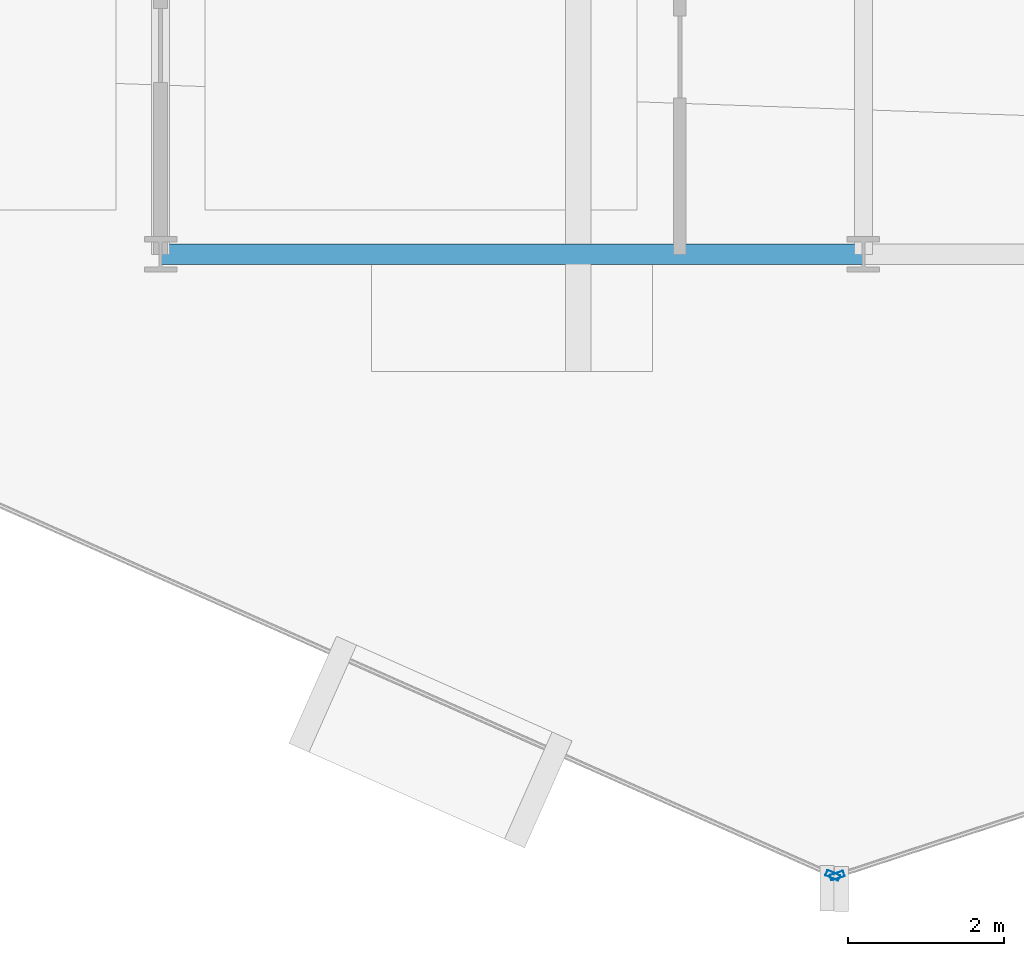
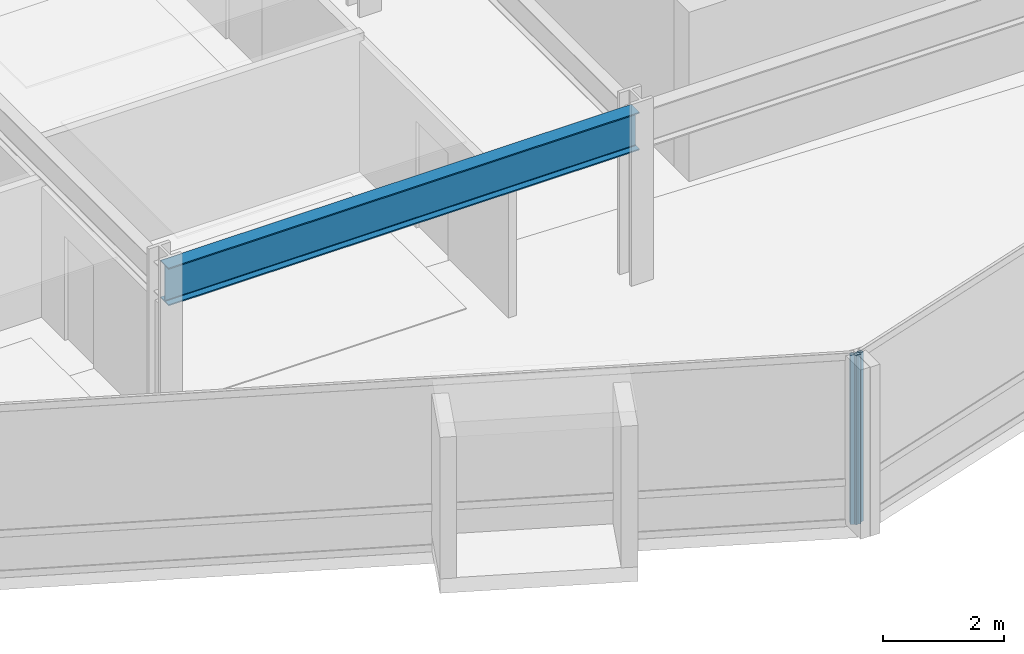
# One storey, part 4 of 29: 2 members, 1 beam, 2 elements without a shape of their own.
"""IFC4 building model written with IfcOpenShell, lengths in metres."""

from ifc_helpers import new_model, si_unit, direction, frame, origin, origin_2d, place, context, subcontext, project, spatial, hollow_rectangle, i_section, extrude, material, layer, layer_set, material_profile, profile_set, type_object, element, aggregate, save


model = new_model("IFC4")

# Units and contexts
model_context = context("Model", 3, precision=1e-05, world=origin(), true_north=direction((0.0, 1.0)))
body_context = subcontext(model_context, "Body", "Model", "MODEL_VIEW")
ifc_project = project(units=[si_unit("LENGTHUNIT", "METRE"), si_unit("AREAUNIT", "SQUARE_METRE"), si_unit("VOLUMEUNIT", "CUBIC_METRE"), si_unit("PLANEANGLEUNIT", "RADIAN"), si_unit("MASSUNIT", "GRAM", prefix="KILO")], contexts=[model_context])

# Site, building, storey
site_placement = place(None, origin())
site = spatial("IfcSite", under=ifc_project, at=site_placement, CompositionType="ELEMENT")
building_placement = place(site_placement, origin())
building = spatial("IfcBuilding", under=site, at=building_placement, Name="Solvaryn Broadcast Tower", CompositionType="ELEMENT")
storey_placement = place(building_placement, frame((0.0, 0.0, 128.5)))
storey = spatial("IfcBuildingStorey", under=building, at=storey_placement, Name="L31", CompositionType="ELEMENT", Elevation=128.5)

# Beam
ifc_material_1 = material(Name="Steel ASTM A992 Grade 50", Category="steel")
ifc_material_profile_1 = material_profile(ifc_material_1, i_section(OverallWidth=0.26708984375, OverallDepth=0.76611328125, WebThickness=0.014892578125, FlangeThickness=0.023681640625, FilletRadius=0.01806640625, at=origin_2d()))
ifc_profile_set_1 = profile_set([ifc_material_profile_1], Name="Steel ASTM A992 Grade 50")
beam_type = type_object("IfcBeamType", Name="BM-SP2-W30X124", PredefinedType="USERDEFINED", material=ifc_profile_set_1)
beam_placement = place(storey_placement, frame((18.0, 9.0, 3.037109375), z_axis=(1.0, 0.0, 0.0), x_axis=(0.0, 1.0, 0.0)))
element("IfcBeam", 1, at=beam_placement, inside=storey, type_object=beam_type, Name="L31 Spandrel Beam X (18-27 @ Y=9)", ObjectType="SPANDREL", PredefinedType="USERDEFINED", context=body_context, shape_type="SweptSolid", body=[
    extrude(i_section(OverallWidth=0.26708984375, OverallDepth=0.76611328125, WebThickness=0.014892578125, FlangeThickness=0.023681640625, FilletRadius=0.01806640625, at=origin_2d()), origin(), (0.0, 0.0, 1.0), 9.0),
])

# Curtain wall, member
ifc_material_2 = material(Name="Aluminium and Terracotta Unitised Curtain Wall", Category="masonry")
ifc_layer = layer(ifc_material_2, 0.199951171875)
ifc_layer_set = layer_set([ifc_layer], Name="CW-SYS2-LOWMID")
curtain_wall_type = type_object("IfcCurtainWallType", Name="CW-SYS2-LOWMID", PredefinedType="NOTDEFINED", material=ifc_layer_set)
curtain_wall_1_placement = place(storey_placement, origin())
curtain_wall_1 = element("IfcCurtainWall", 2, at=curtain_wall_1_placement, inside=storey, type_object=curtain_wall_type, Name="L31 Curtain Wall DR3", PredefinedType="NOTDEFINED")
ifc_material_3 = material(Name="Anodised Aluminium 6063-T6", Category="aluminium")
ifc_material_profile_2 = material_profile(ifc_material_3, hollow_rectangle(XDim=0.074951171875, YDim=0.179931640625, WallThickness=0.00390625, InnerFilletRadius=0.00390625, OuterFilletRadius=0.008056640625, at=origin_2d()))
ifc_profile_set_2 = profile_set([ifc_material_profile_2], Name="Anodised Aluminium 6063-T6")
member_type = type_object("IfcMemberType", Name="CW-MUL-180", PredefinedType="MULLION", material=ifc_profile_set_2)
member_1_placement = place(storey_placement, frame((26.608642578125, 1.046142578125, 0.0), z_axis=(0.0, 0.0, 1.0), x_axis=(0.405918429309, 0.913909311008, 0.0)))
member_1 = element("IfcMember", 3, at=member_1_placement, type_object=member_type, Name="CWS2 mullion 2", PredefinedType="MULLION", context=body_context, shape_type="SweptSolid", body=[
    extrude(hollow_rectangle(XDim=0.074951171875, YDim=0.179931640625, WallThickness=0.00390625, InnerFilletRadius=0.00390625, OuterFilletRadius=0.008056640625, at=origin_2d()), origin(), (0.0, 0.0, 1.0), 3.419921875),
])
aggregate(curtain_wall_1, [member_1])

curtain_wall_2_placement = place(storey_placement, origin())
curtain_wall_2 = element("IfcCurtainWall", 4, at=curtain_wall_2_placement, inside=storey, type_object=curtain_wall_type, Name="L31 Curtain Wall DR4", PredefinedType="NOTDEFINED")
member_2_placement = place(storey_placement, frame((26.66455078125, 1.04345703125, 0.0), z_axis=(0.0, 0.0, 1.0), x_axis=(-0.311646057547, 0.950198260794, 0.0)))
member_2 = element("IfcMember", 5, at=member_2_placement, type_object=member_type, Name="CWS2 mullion 1", PredefinedType="MULLION", context=body_context, shape_type="SweptSolid", body=[
    extrude(hollow_rectangle(XDim=0.074951171875, YDim=0.179931640625, WallThickness=0.00390625, InnerFilletRadius=0.00390625, OuterFilletRadius=0.008056640625, at=origin_2d()), origin(), (0.0, 0.0, 1.0), 3.419921875),
])
aggregate(curtain_wall_2, [member_2])

save(model, "model.ifc")
